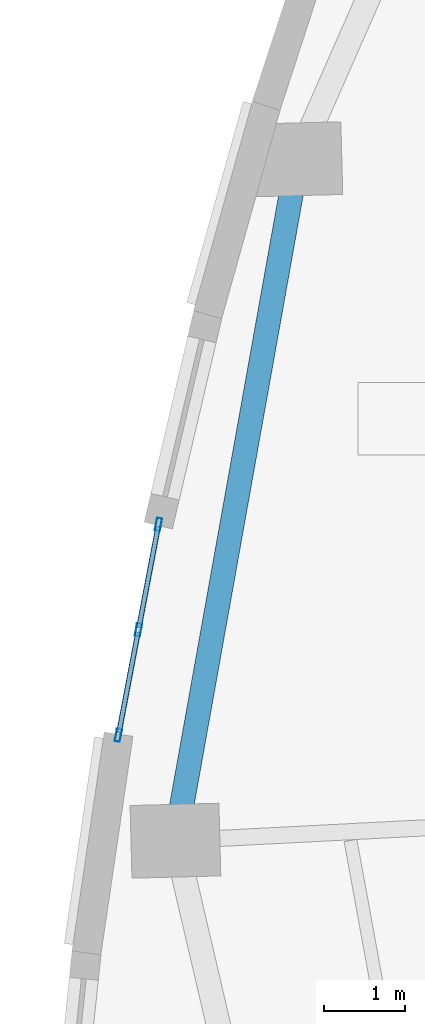
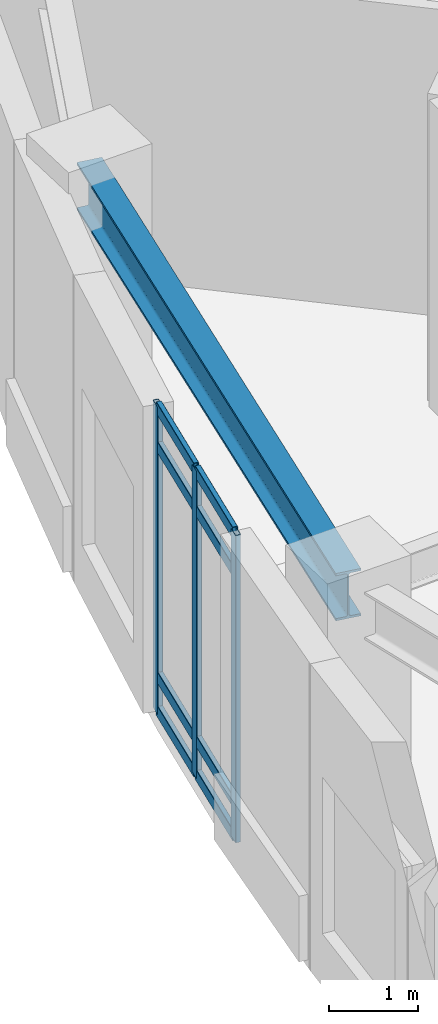
# One storey, part 2 of 19: 11 members, 1 beam, 1 element without a shape of its own.
"""IFC4 building model written with IfcOpenShell, lengths in metres."""

from ifc_helpers import new_model, si_unit, direction, frame, origin, origin_2d, place, context, subcontext, project, spatial, hollow_rectangle, i_section, extrude, material, layer, layer_set, material_profile, profile_set, type_object, element, aggregate, save


model = new_model("IFC4")

# Units and contexts
model_context = context("Model", 3, precision=1e-05, world=origin(), true_north=direction((0.0, 1.0)))
body_context = subcontext(model_context, "Body", "Model", "MODEL_VIEW")
ifc_project = project(units=[si_unit("LENGTHUNIT", "METRE"), si_unit("AREAUNIT", "SQUARE_METRE"), si_unit("VOLUMEUNIT", "CUBIC_METRE"), si_unit("PLANEANGLEUNIT", "RADIAN"), si_unit("MASSUNIT", "GRAM", prefix="KILO")], contexts=[model_context])

# Site, building, storey
site_placement = place(None, origin())
site = spatial("IfcSite", under=ifc_project, at=site_placement, CompositionType="ELEMENT")
building_placement = place(site_placement, origin())
building = spatial("IfcBuilding", under=site, at=building_placement, Name="Ndelora Gate Hotel", CompositionType="ELEMENT")
storey_placement = place(building_placement, frame((0.0, 0.0, 88.25)))
storey = spatial("IfcBuildingStorey", under=building, at=storey_placement, Name="L21", CompositionType="ELEMENT", Elevation=88.25)

# Beam
ifc_material_1 = material(Name="Steel S355", Category="steel")
ifc_material_profile_1 = material_profile(ifc_material_1, i_section(OverallWidth=0.300048828125, OverallDepth=0.64990234375, WebThickness=0.01611328125, FlangeThickness=0.031005859375, FilletRadius=0.027099609375, at=origin_2d()), Name="HEB 650")
ifc_profile_set_1 = profile_set([ifc_material_profile_1], Name="Steel S355")
beam_type = type_object("IfcBeamType", Name="BM-RING-650", PredefinedType="SPANDREL", material=ifc_profile_set_1)
beam_placement = place(storey_placement, frame((-14.74658203125, 8.006591796875, 3.885009765625), z_axis=(-0.176130938817, -0.984366746894, 0.0), x_axis=(0.984366746894, -0.176130938817, 0.0)))
element("IfcBeam", 1, at=beam_placement, inside=storey, type_object=beam_type, Name="L21 Perimeter Spandrel Girder 2", PredefinedType="SPANDREL", context=body_context, shape_type="SweptSolid", body=[
    extrude(i_section(OverallWidth=0.300048828125, OverallDepth=0.64990234375, WebThickness=0.01611328125, FlangeThickness=0.031005859375, FilletRadius=0.027099609375, at=origin_2d()), origin(), (0.0, 0.0, 1.0), 8.56640625),
])

# Curtain wall, members
ifc_material_2 = material(Name="Bronze Anodised Unitised Aluminium and Low-E Glass", Category="aluminium")
ifc_layer = layer(ifc_material_2, 0.2099609375)
ifc_layer_set = layer_set([ifc_layer], Name="Bronze Anodised Unitised Aluminium and Low-E Glass")
curtain_wall_type = type_object("IfcCurtainWallType", Name="CW-SYS-4", PredefinedType="NOTDEFINED", material=ifc_layer_set)
curtain_wall_placement = place(storey_placement, origin())
curtain_wall = element("IfcCurtainWall", 2, at=curtain_wall_placement, inside=storey, type_object=curtain_wall_type, Name="L21 Lower Sky-Lobby & Highland Spa Curtain Wall 2", PredefinedType="NOTDEFINED")
ifc_material_3 = material(Name="Bronze Anodised Aluminium 6063-T6", Category="aluminium")
ifc_material_profile_2 = material_profile(ifc_material_3, hollow_rectangle(XDim=0.06494140625, YDim=0.159912109375, WallThickness=0.00390625, InnerFilletRadius=0.00390625, OuterFilletRadius=0.008056640625, at=origin_2d()), Name="ALU 160x65x4")
ifc_profile_set_2 = profile_set([ifc_material_profile_2], Name="Bronze Anodised Aluminium 6063-T6")
member_type_1 = type_object("IfcMemberType", Name="MB-CW-MUL150", PredefinedType="MULLION", material=ifc_profile_set_2)
member_1_placement = place(storey_placement, frame((-16.46484375, 3.48681640625, -0.00390625), z_axis=(0.0, 0.0, 1.0), x_axis=(0.982349185915, -0.187056346946, 0.0)))
member_1 = element("IfcMember", 3, at=member_1_placement, type_object=member_type_1, Name="CW4 mullion 1", PredefinedType="MULLION", context=body_context, shape_type="SweptSolid", body=[
    extrude(hollow_rectangle(XDim=0.06494140625, YDim=0.159912109375, WallThickness=0.00390625, InnerFilletRadius=0.00390625, OuterFilletRadius=0.008056640625, at=origin_2d()), origin(), (0.0, 0.0, 1.0), 4.218017578125),
])
member_2_placement = place(storey_placement, frame((-16.713134765625, 2.18310546875, -0.00390625), z_axis=(0.0, 0.0, 1.0), x_axis=(0.982349185915, -0.187056346946, 0.0)))
member_2 = element("IfcMember", 4, at=member_2_placement, type_object=member_type_1, Name="CW4 mullion 2", PredefinedType="MULLION", context=body_context, shape_type="SweptSolid", body=[
    extrude(hollow_rectangle(XDim=0.06494140625, YDim=0.159912109375, WallThickness=0.00390625, InnerFilletRadius=0.00390625, OuterFilletRadius=0.008056640625, at=origin_2d()), origin(), (0.0, 0.0, 1.0), 4.218017578125),
])
member_3_placement = place(storey_placement, frame((-16.96142578125, 0.879150390625, -0.00390625), z_axis=(0.0, 0.0, 1.0), x_axis=(0.982349185915, -0.187056346946, 0.0)))
member_3 = element("IfcMember", 5, at=member_3_placement, type_object=member_type_1, Name="CW4 mullion 3", PredefinedType="MULLION", context=body_context, shape_type="SweptSolid", body=[
    extrude(hollow_rectangle(XDim=0.06494140625, YDim=0.159912109375, WallThickness=0.00390625, InnerFilletRadius=0.00390625, OuterFilletRadius=0.008056640625, at=origin_2d()), origin(), (0.0, 0.0, 1.0), 4.218017578125),
])
ifc_material_profile_3 = material_profile(ifc_material_3, hollow_rectangle(XDim=0.06494140625, YDim=0.159912109375, WallThickness=0.00390625, InnerFilletRadius=0.00390625, OuterFilletRadius=0.008056640625, at=origin_2d()), Name="ALU 160x65x4")
ifc_profile_set_3 = profile_set([ifc_material_profile_3], Name="Bronze Anodised Aluminium 6063-T6")
member_type_2 = type_object("IfcMemberType", Name="MB-CW-TRN150", PredefinedType="USERDEFINED", material=ifc_profile_set_3)
member_4_placement = place(storey_placement, frame((-16.4697265625, 3.4609375, 0.032470703125), z_axis=(-0.186971258801, -0.982365384357, 0.0), x_axis=(0.982365384357, -0.186971258801, 0.0)))
member_4 = element("IfcMember", 6, at=member_4_placement, type_object=member_type_2, Name="CW4 transom 1.1", ObjectType="TRANSOM", PredefinedType="USERDEFINED", context=body_context, shape_type="SweptSolid", body=[
    extrude(hollow_rectangle(XDim=0.06494140625, YDim=0.159912109375, WallThickness=0.00390625, InnerFilletRadius=0.00390625, OuterFilletRadius=0.008056640625, at=origin_2d()), origin(), (0.0, 0.0, 1.0), 1.2744140625),
])
member_5_placement = place(storey_placement, frame((-16.4697265625, 3.4609375, 0.5), z_axis=(-0.186971258801, -0.982365384357, 0.0), x_axis=(0.982365384357, -0.186971258801, 0.0)))
member_5 = element("IfcMember", 7, at=member_5_placement, type_object=member_type_2, Name="CW4 transom 1.2", ObjectType="TRANSOM", PredefinedType="USERDEFINED", context=body_context, shape_type="SweptSolid", body=[
    extrude(hollow_rectangle(XDim=0.06494140625, YDim=0.159912109375, WallThickness=0.00390625, InnerFilletRadius=0.00390625, OuterFilletRadius=0.008056640625, at=origin_2d()), origin(), (0.0, 0.0, 1.0), 1.2744140625),
])
member_6_placement = place(storey_placement, frame((-16.4697265625, 3.4609375, 3.659912109375), z_axis=(-0.186971258801, -0.982365384357, 0.0), x_axis=(0.982365384357, -0.186971258801, 0.0)))
member_6 = element("IfcMember", 8, at=member_6_placement, type_object=member_type_2, Name="CW4 transom 1.3", ObjectType="TRANSOM", PredefinedType="USERDEFINED", context=body_context, shape_type="SweptSolid", body=[
    extrude(hollow_rectangle(XDim=0.06494140625, YDim=0.159912109375, WallThickness=0.00390625, InnerFilletRadius=0.00390625, OuterFilletRadius=0.008056640625, at=origin_2d()), origin(), (0.0, 0.0, 1.0), 1.2744140625),
])
member_7_placement = place(storey_placement, frame((-16.4697265625, 3.4609375, 4.177490234375), z_axis=(-0.186971258801, -0.982365384357, 0.0), x_axis=(0.982365384357, -0.186971258801, 0.0)))
member_7 = element("IfcMember", 9, at=member_7_placement, type_object=member_type_2, Name="CW4 transom 1.4", ObjectType="TRANSOM", PredefinedType="USERDEFINED", context=body_context, shape_type="SweptSolid", body=[
    extrude(hollow_rectangle(XDim=0.06494140625, YDim=0.159912109375, WallThickness=0.00390625, InnerFilletRadius=0.00390625, OuterFilletRadius=0.008056640625, at=origin_2d()), origin(), (0.0, 0.0, 1.0), 1.2744140625),
])
member_8_placement = place(storey_placement, frame((-16.718017578125, 2.156982421875, 0.032470703125), z_axis=(-0.18700645155, -0.982358685552, 0.0), x_axis=(0.982358685552, -0.18700645155, 0.0)))
member_8 = element("IfcMember", 10, at=member_8_placement, type_object=member_type_2, Name="CW4 transom 2.1", ObjectType="TRANSOM", PredefinedType="USERDEFINED", context=body_context, shape_type="SweptSolid", body=[
    extrude(hollow_rectangle(XDim=0.06494140625, YDim=0.159912109375, WallThickness=0.00390625, InnerFilletRadius=0.00390625, OuterFilletRadius=0.008056640625, at=origin_2d()), origin(), (0.0, 0.0, 1.0), 1.274169921875),
])
member_9_placement = place(storey_placement, frame((-16.718017578125, 2.156982421875, 0.5), z_axis=(-0.18700645155, -0.982358685552, 0.0), x_axis=(0.982358685552, -0.18700645155, 0.0)))
member_9 = element("IfcMember", 11, at=member_9_placement, type_object=member_type_2, Name="CW4 transom 2.2", ObjectType="TRANSOM", PredefinedType="USERDEFINED", context=body_context, shape_type="SweptSolid", body=[
    extrude(hollow_rectangle(XDim=0.06494140625, YDim=0.159912109375, WallThickness=0.00390625, InnerFilletRadius=0.00390625, OuterFilletRadius=0.008056640625, at=origin_2d()), origin(), (0.0, 0.0, 1.0), 1.274169921875),
])
member_10_placement = place(storey_placement, frame((-16.718017578125, 2.156982421875, 3.659912109375), z_axis=(-0.18700645155, -0.982358685552, 0.0), x_axis=(0.982358685552, -0.18700645155, 0.0)))
member_10 = element("IfcMember", 12, at=member_10_placement, type_object=member_type_2, Name="CW4 transom 2.3", ObjectType="TRANSOM", PredefinedType="USERDEFINED", context=body_context, shape_type="SweptSolid", body=[
    extrude(hollow_rectangle(XDim=0.06494140625, YDim=0.159912109375, WallThickness=0.00390625, InnerFilletRadius=0.00390625, OuterFilletRadius=0.008056640625, at=origin_2d()), origin(), (0.0, 0.0, 1.0), 1.274169921875),
])
member_11_placement = place(storey_placement, frame((-16.718017578125, 2.156982421875, 4.177490234375), z_axis=(-0.18700645155, -0.982358685552, 0.0), x_axis=(0.982358685552, -0.18700645155, 0.0)))
member_11 = element("IfcMember", 13, at=member_11_placement, type_object=member_type_2, Name="CW4 transom 2.4", ObjectType="TRANSOM", PredefinedType="USERDEFINED", context=body_context, shape_type="SweptSolid", body=[
    extrude(hollow_rectangle(XDim=0.06494140625, YDim=0.159912109375, WallThickness=0.00390625, InnerFilletRadius=0.00390625, OuterFilletRadius=0.008056640625, at=origin_2d()), origin(), (0.0, 0.0, 1.0), 1.274169921875),
])
aggregate(curtain_wall, [member_1, member_2, member_3, member_4, member_5, member_6, member_7, member_8, member_9, member_10, member_11])

save(model, "model.ifc")
